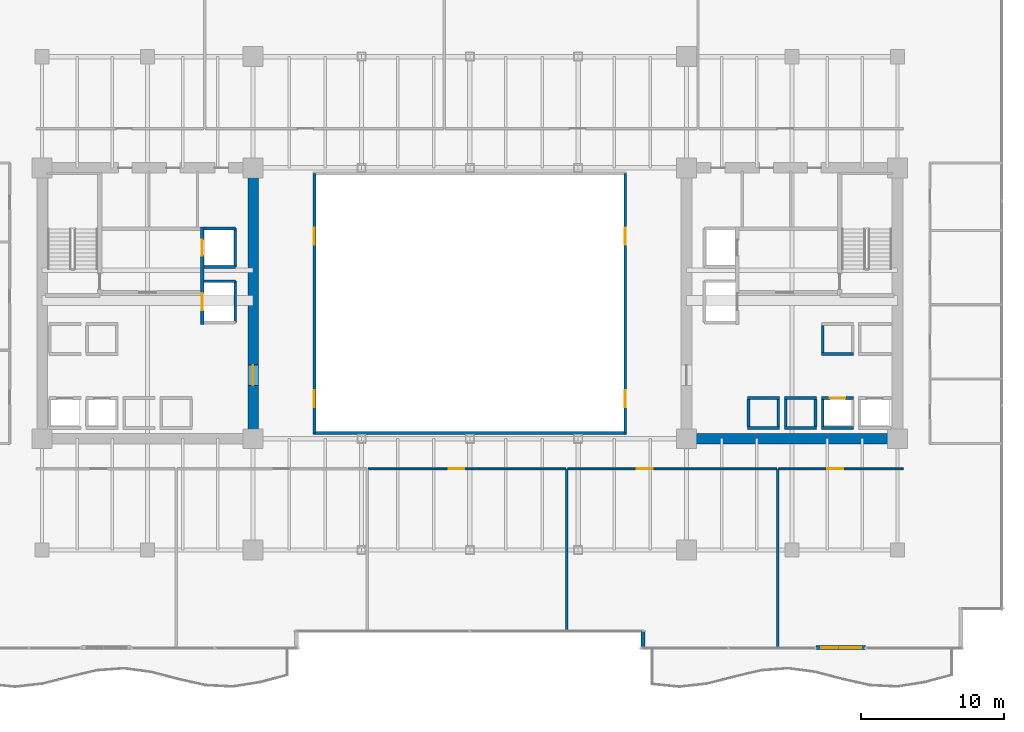
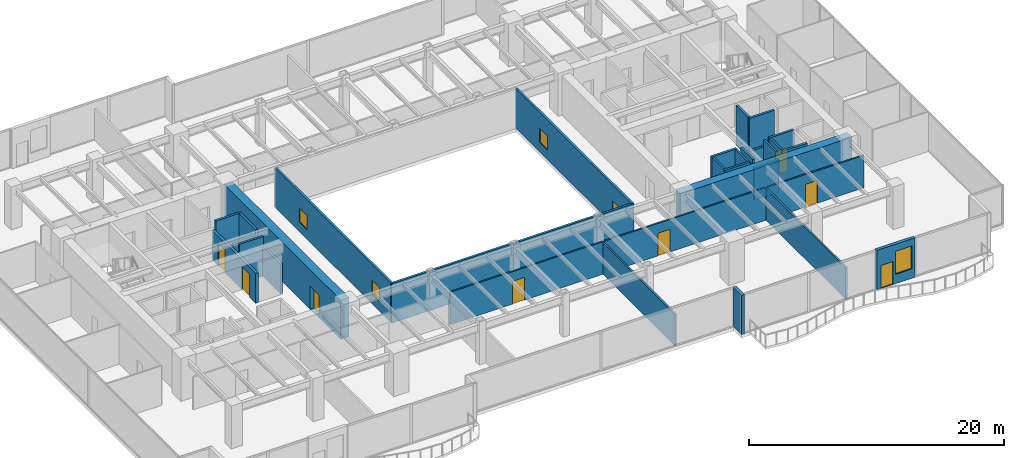
# One storey, part 25 of 31: 31 walls, 8 doors, 5 windows, 13 openings.
"""IFC4 building model written with IfcOpenShell, lengths in metres."""

from ifc_helpers import new_model, si_unit, direction, frame, frame_2d, origin, place, context, subcontext, project, spatial, rectangle, extrude, source, transform, mapped, material, layer, layer_set, type_object, type_shapes, element, fill, save


model = new_model("IFC4")

# Units and contexts
model_context = context("Model", 3, precision=1e-05, world=origin(), true_north=direction((0.0, 1.0)))
body_context = subcontext(model_context, "Body", "Model", "MODEL_VIEW")
ifc_project = project(units=[si_unit("LENGTHUNIT", "METRE"), si_unit("AREAUNIT", "SQUARE_METRE"), si_unit("VOLUMEUNIT", "CUBIC_METRE"), si_unit("PLANEANGLEUNIT", "RADIAN"), si_unit("MASSUNIT", "GRAM", prefix="KILO")], contexts=[model_context])

# Site, building, storey
site_placement = place(None, origin())
site = spatial("IfcSite", under=ifc_project, at=site_placement, CompositionType="ELEMENT")
building_placement = place(site_placement, origin())
building = spatial("IfcBuilding", under=site, at=building_placement, Name="Haelvirn Gate Laboratories", CompositionType="ELEMENT")
storey_placement = place(building_placement, frame((0.0, 0.0, 62.10009765625)))
storey = spatial("IfcBuildingStorey", under=building, at=storey_placement, Name="L15", CompositionType="ELEMENT", Elevation=62.10009765625)

# Wall, openings, door, window
ifc_material_1 = material(Name="Thermally-broken bronze aluminium rainscreen & mineral wool", Category="aluminium")
ifc_layer_1 = layer(ifc_material_1, 0.280029296875, Name="EW-TERR-280")
ifc_layer_set_1 = layer_set([ifc_layer_1], Name="Thermally-broken bronze aluminium rainscreen & mineral wool")
wall_type_1 = type_object("IfcWallType", Name="EW-TERR-280", PredefinedType="STANDARD", material=ifc_layer_set_1)
wall_1_placement = place(storey_placement, frame((61.681884765625, 0.139892578125, 0.0), z_axis=(0.0, 0.0, 1.0), x_axis=(1.0, 0.0, 0.0)))
wall_1 = element("IfcWall", 1, at=wall_1_placement, inside=storey, type_object=wall_type_1, Name="L15 Terrace Access Wall WB-EL-S", PredefinedType="STANDARD", context=body_context, shape_type="SweptSolid", body=[
    extrude(rectangle(XDim=3.461181640625, YDim=0.280029296875, at=frame_2d((1.73046875, 0.0))), origin(), (0.0, 0.0, 1.0), 3.77978515625),
])
opening_1_placement = place(wall_1_placement, frame((0.3779296875, 0.0, 0.0)))
opening_1 = element("IfcOpeningElement", 2, at=opening_1_placement, cuts=wall_1, Name="Opening TD1", PredefinedType="OPENING", context=body_context, shape_type="SweptSolid", body=[
    extrude(rectangle(XDim=1.10009765625, YDim=2.199951171875, at=frame_2d((0.550048828125, 1.10009765625))), frame((0.0, 0.14990234375, 0.0), z_axis=(0.0, -1.0, 0.0), x_axis=(1.0, 0.0, 0.0)), (0.0, 0.0, 1.0), 0.300048828125),
])
opening_2_placement = place(wall_1_placement, frame((1.677978515625, 0.0, 0.89990234375)))
opening_2 = element("IfcOpeningElement", 3, at=opening_2_placement, cuts=wall_1, Name="Opening W3", PredefinedType="OPENING", context=body_context, shape_type="SweptSolid", body=[
    extrude(rectangle(XDim=1.5, YDim=2.199951171875, at=frame_2d((0.75, 1.10009765625))), frame((0.0, 0.14990234375, 0.0), z_axis=(0.0, -1.0, 0.0), x_axis=(1.0, 0.0, 0.0)), (0.0, 0.0, 1.0), 0.300048828125),
])
ifc_material_2 = material(Name="Thermally-broken bronze aluminium glazed terrace door", Category="aluminium")
door_type_1 = type_object("IfcDoorType", Name="DR-TERR-1100", OperationType="NOTDEFINED", PredefinedType="DOOR", material=ifc_material_2)
shared_shape_1 = source(origin(), body_context, "Body", "SweptSolid", [
    extrude(rectangle(XDim=1.10009765625, YDim=2.199951171875, at=frame_2d((0.550048828125, 1.10009765625))), frame((0.0, 0.02490234375, 0.0), z_axis=(0.0, -1.0, 0.0), x_axis=(1.0, 0.0, 0.0)), (0.0, 0.0, 1.0), 0.050048828125),
])
type_shapes(door_type_1, [shared_shape_1])
door_1_placement = place(opening_1_placement, origin())
door_1 = element("IfcDoor", 4, at=door_1_placement, inside=storey, type_object=door_type_1, Name="L15 Terrace Access Door WB-EL-S", OperationType="SINGLE_SWING_LEFT", OverallHeight=2.199951171875, OverallWidth=1.10009765625, PredefinedType="DOOR", context=body_context, shape_type="MappedRepresentation", body=[
    mapped(shared_shape_1, transform((0.0, 0.0, 0.0), scale=1.0)),
])
fill(opening_1, door_1)
ifc_material_3 = material(Name="Bronze anodised aluminium & triple low-E glass", Category="aluminium")
window_type_1 = type_object("IfcWindowType", Name="WIN-TERR-1600", PartitioningType="SINGLE_PANEL", PredefinedType="WINDOW", material=ifc_material_3)
shared_shape_2 = source(origin(), body_context, "Body", "SweptSolid", [
    extrude(rectangle(XDim=1.5, YDim=2.199951171875, at=frame_2d((0.75, 1.10009765625))), frame((0.0, 0.030029296875, 0.0), z_axis=(0.0, -1.0, 0.0), x_axis=(1.0, 0.0, 0.0)), (0.0, 0.0, 1.0), 0.06005859375),
])
type_shapes(window_type_1, [shared_shape_2])
window_1_placement = place(opening_2_placement, origin())
window_1 = element("IfcWindow", 5, at=window_1_placement, inside=storey, type_object=window_type_1, Name="L15 Terrace Vision Window WB-EL-S", OverallHeight=2.199951171875, OverallWidth=1.5, PartitioningType="SINGLE_PANEL", PredefinedType="WINDOW", context=body_context, shape_type="MappedRepresentation", body=[
    mapped(shared_shape_2, transform((0.0, 0.0, 0.0), scale=1.0)),
])
fill(opening_2, window_1)

# Walls
wall_2_placement = place(storey_placement, frame((49.5400390625, 1.2880859375, 0.0), z_axis=(0.0, 0.0, 1.0), x_axis=(0.0, -1.0, 0.0)))
element("IfcWall", 6, at=wall_2_placement, inside=storey, type_object=wall_type_1, Name="L15 Atrium Recess Bronze Return Wall 03", PredefinedType="STANDARD", context=body_context, shape_type="SweptSolid", body=[
    extrude(rectangle(XDim=1.2880859375, YDim=0.280029296875, at=frame_2d((0.64404296875, 0.0))), origin(), (0.0, 0.0, 1.0), 3.77978515625),
])
ifc_material_4 = material(Name="Double-layer acoustic gypsum laboratory partition", Category="gypsum")
ifc_layer_2 = layer(ifc_material_4, 0.159912109375, Name="IW-ACOUST-160")
ifc_layer_set_2 = layer_set([ifc_layer_2], Name="Double-layer acoustic gypsum laboratory partition")
wall_type_2 = type_object("IfcWallType", Name="IW-ACOUST-160", PredefinedType="PARTITIONING", material=ifc_layer_set_2)
wall_3_placement = place(storey_placement, frame((44.199951171875, 1.31005859375, 0.0), z_axis=(0.0, 0.0, 1.0), x_axis=(0.0, 1.0, 0.0)))
element("IfcWall", 7, at=wall_3_placement, inside=storey, type_object=wall_type_2, Name="L15 Interior Wall IW-L15-SDIV-03", PredefinedType="PARTITIONING", context=body_context, shape_type="SweptSolid", body=[
    extrude(rectangle(XDim=11.3798828125, YDim=0.159912109375, at=frame_2d((5.68994140625, 0.0))), origin(), (0.0, 0.0, 1.0), 3.014892578125),
])
wall_4_placement = place(storey_placement, frame((59.0, 0.110107421875, 0.0), z_axis=(0.0, 0.0, 1.0), x_axis=(0.0, 1.0, 0.0)))
element("IfcWall", 8, at=wall_4_placement, inside=storey, type_object=wall_type_2, Name="L15 Interior Wall IW-L15-SDIV-04", PredefinedType="PARTITIONING", context=body_context, shape_type="SweptSolid", body=[
    extrude(rectangle(XDim=12.579833984375, YDim=0.159912109375, at=frame_2d((6.2900390625, 0.0))), origin(), (0.0, 0.0, 1.0), 3.014892578125),
])

# Wall, openings, windows
ifc_material_5 = material(Name="Tempered fire-rated borosilicate glass & anodised aluminium", Category="aluminium")
ifc_layer_3 = layer(ifc_material_5, 0.195068359375, Name="IW-GLAZ-200")
ifc_layer_set_3 = layer_set([ifc_layer_3], Name="Tempered fire-rated borosilicate glass & anodised aluminium")
wall_type_3 = type_object("IfcWallType", Name="IW-GLAZ-200", PredefinedType="SOLIDWALL", material=ifc_layer_set_3)
wall_5_placement = place(storey_placement, frame((26.5, 15.199951171875, 0.0), z_axis=(0.0, 0.0, 1.0), x_axis=(0.0, 1.0, 0.0)))
wall_5 = element("IfcWall", 9, at=wall_5_placement, inside=storey, type_object=wall_type_3, Name="L15 Interior Wall IW-L15-ATRIUM-W", PredefinedType="SOLIDWALL", context=body_context, shape_type="SweptSolid", body=[
    extrude(rectangle(XDim=18.199951171875, YDim=0.195068359375, at=frame_2d((9.10009765625, 0.0))), origin(), (0.0, 0.0, 1.0), 3.77978515625),
])
opening_3_placement = place(wall_5_placement, frame((1.800048828125, 0.0, 0.89990234375)))
opening_3 = element("IfcOpeningElement", 10, at=opening_3_placement, cuts=wall_5, Name="Opening W6", PredefinedType="OPENING", context=body_context, shape_type="SweptSolid", body=[
    extrude(rectangle(XDim=1.199951171875, YDim=1.35009765625, at=frame_2d((0.60009765625, 0.675048828125))), frame((0.0, 0.107421875, 0.0), z_axis=(0.0, -1.0, 0.0), x_axis=(1.0, 0.0, 0.0)), (0.0, 0.0, 1.0), 0.215087890625),
])
opening_4_placement = place(wall_5_placement, frame((13.199951171875, 0.0, 0.89990234375)))
opening_4 = element("IfcOpeningElement", 11, at=opening_4_placement, cuts=wall_5, Name="Opening W6", PredefinedType="OPENING", context=body_context, shape_type="SweptSolid", body=[
    extrude(rectangle(XDim=1.199951171875, YDim=1.35009765625, at=frame_2d((0.60009765625, 0.675048828125))), frame((0.0, 0.107421875, 0.0), z_axis=(0.0, -1.0, 0.0), x_axis=(1.0, 0.0, 0.0)), (0.0, 0.0, 1.0), 0.215087890625),
])
ifc_material_6 = material(Name="Fire-rated EI 120 borosilicate atrium vision glazing", Category="glass")
window_type_2 = type_object("IfcWindowType", Name="WN-ATR-1200", PartitioningType="SINGLE_PANEL", PredefinedType="WINDOW", material=ifc_material_6)
shared_shape_3 = source(origin(), body_context, "Body", "SweptSolid", [
    extrude(rectangle(XDim=1.199951171875, YDim=1.35009765625, at=frame_2d((0.60009765625, 0.675048828125))), frame((0.0, 0.030029296875, 0.0), z_axis=(0.0, -1.0, 0.0), x_axis=(1.0, 0.0, 0.0)), (0.0, 0.0, 1.0), 0.06005859375),
])
type_shapes(window_type_2, [shared_shape_3])
window_2_placement = place(opening_3_placement, origin())
window_2 = element("IfcWindow", 12, at=window_2_placement, inside=storey, type_object=window_type_2, Name="L15 Atrium Observation Window 1", OverallHeight=1.35009765625, OverallWidth=1.199951171875, PartitioningType="SINGLE_PANEL", PredefinedType="WINDOW", context=body_context, shape_type="MappedRepresentation", body=[
    mapped(shared_shape_3, transform((0.0, 0.0, 0.0), scale=1.0)),
])
fill(opening_3, window_2)
window_3_placement = place(opening_4_placement, origin())
window_3 = element("IfcWindow", 13, at=window_3_placement, inside=storey, type_object=window_type_2, Name="L15 Atrium Observation Window 2", OverallHeight=1.35009765625, OverallWidth=1.199951171875, PartitioningType="SINGLE_PANEL", PredefinedType="WINDOW", context=body_context, shape_type="MappedRepresentation", body=[
    mapped(shared_shape_3, transform((0.0, 0.0, 0.0), scale=1.0)),
])
fill(opening_4, window_3)

wall_6_placement = place(storey_placement, frame((48.300048828125, 15.199951171875, 0.0), z_axis=(0.0, 0.0, 1.0), x_axis=(0.0, 1.0, 0.0)))
wall_6 = element("IfcWall", 14, at=wall_6_placement, inside=storey, type_object=wall_type_3, Name="L15 Interior Wall IW-L15-ATRIUM-E", PredefinedType="SOLIDWALL", context=body_context, shape_type="SweptSolid", body=[
    extrude(rectangle(XDim=18.199951171875, YDim=0.195068359375, at=frame_2d((9.10009765625, 0.0))), origin(), (0.0, 0.0, 1.0), 3.77978515625),
])
opening_5_placement = place(wall_6_placement, frame((1.800048828125, 0.0, 0.89990234375)))
opening_5 = element("IfcOpeningElement", 15, at=opening_5_placement, cuts=wall_6, Name="Opening W6", PredefinedType="OPENING", context=body_context, shape_type="SweptSolid", body=[
    extrude(rectangle(XDim=1.199951171875, YDim=1.35009765625, at=frame_2d((0.60009765625, 0.675048828125))), frame((0.0, 0.107421875, 0.0), z_axis=(0.0, -1.0, 0.0), x_axis=(1.0, 0.0, 0.0)), (0.0, 0.0, 1.0), 0.215087890625),
])
opening_6_placement = place(wall_6_placement, frame((13.199951171875, 0.0, 0.89990234375)))
opening_6 = element("IfcOpeningElement", 16, at=opening_6_placement, cuts=wall_6, Name="Opening W6", PredefinedType="OPENING", context=body_context, shape_type="SweptSolid", body=[
    extrude(rectangle(XDim=1.199951171875, YDim=1.35009765625, at=frame_2d((0.60009765625, 0.675048828125))), frame((0.0, 0.107421875, 0.0), z_axis=(0.0, -1.0, 0.0), x_axis=(1.0, 0.0, 0.0)), (0.0, 0.0, 1.0), 0.215087890625),
])
window_4_placement = place(opening_5_placement, origin())
window_4 = element("IfcWindow", 17, at=window_4_placement, inside=storey, type_object=window_type_2, Name="L15 Atrium Observation Window 1", OverallHeight=1.35009765625, OverallWidth=1.199951171875, PartitioningType="SINGLE_PANEL", PredefinedType="WINDOW", context=body_context, shape_type="MappedRepresentation", body=[
    mapped(shared_shape_3, transform((0.0, 0.0, 0.0), scale=1.0)),
])
fill(opening_5, window_4)
window_5_placement = place(opening_6_placement, origin())
window_5 = element("IfcWindow", 18, at=window_5_placement, inside=storey, type_object=window_type_2, Name="L15 Atrium Observation Window 2", OverallHeight=1.35009765625, OverallWidth=1.199951171875, PartitioningType="SINGLE_PANEL", PredefinedType="WINDOW", context=body_context, shape_type="MappedRepresentation", body=[
    mapped(shared_shape_3, transform((0.0, 0.0, 0.0), scale=1.0)),
])
fill(opening_6, window_5)

# Wall
wall_7_placement = place(storey_placement, frame((26.39990234375, 15.199951171875, 0.0), z_axis=(0.0, 0.0, 1.0), x_axis=(1.0, 0.0, 0.0)))
element("IfcWall", 19, at=wall_7_placement, inside=storey, type_object=wall_type_3, Name="L15 Interior Wall IW-L15-ATRIUM-S", PredefinedType="SOLIDWALL", context=body_context, shape_type="SweptSolid", body=[
    extrude(rectangle(XDim=22.0, YDim=0.195068359375, at=frame_2d((11.0, 0.0))), origin(), (0.0, 0.0, 1.0), 3.77978515625),
])

# Wall, opening, door
ifc_material_7 = material(Name="Acoustic mineral-wool gypsum board partition", Category="gypsum")
ifc_layer_4 = layer(ifc_material_7, 0.139892578125, Name="IW-PART-140")
ifc_layer_set_4 = layer_set([ifc_layer_4], Name="Acoustic mineral-wool gypsum board partition")
wall_type_4 = type_object("IfcWallType", Name="IW-PART-140", PredefinedType="PARTITIONING", material=ifc_layer_set_4)
wall_8_placement = place(storey_placement, frame((30.280029296875, 12.68994140625, 0.0), z_axis=(0.0, 0.0, 1.0), x_axis=(1.0, 0.0, 0.0)))
wall_8 = element("IfcWall", 20, at=wall_8_placement, inside=storey, type_object=wall_type_4, Name="L15 Interior Wall IW-L15-SCORR-03", PredefinedType="PARTITIONING", context=body_context, shape_type="SweptSolid", body=[
    extrude(rectangle(XDim=13.840087890625, YDim=0.139892578125, at=frame_2d((6.919921875, 0.0))), origin(), (0.0, 0.0, 1.0), 3.114990234375),
])
opening_7_placement = place(wall_8_placement, frame((5.647705078125, 0.0, 0.0)))
opening_7 = element("IfcOpeningElement", 21, at=opening_7_placement, cuts=wall_8, Name="Opening D1", PredefinedType="OPENING", context=body_context, shape_type="SweptSolid", body=[
    extrude(rectangle(XDim=1.10009765625, YDim=2.179931640625, at=frame_2d((0.550048828125, 1.08984375))), frame((0.0, 0.080078125, 0.0), z_axis=(0.0, -1.0, 0.0), x_axis=(1.0, 0.0, 0.0)), (0.0, 0.0, 1.0), 0.159912109375),
])
ifc_material_8 = material(Name="Vision-panel acoustic solid-core timber lab door", Category="wood")
door_type_2 = type_object("IfcDoorType", Name="DR-LAB-1100", OperationType="NOTDEFINED", PredefinedType="DOOR", material=ifc_material_8)
shared_shape_4 = source(origin(), body_context, "Body", "SweptSolid", [
    extrude(rectangle(XDim=1.10009765625, YDim=2.179931640625, at=frame_2d((0.550048828125, 1.08984375))), frame((0.0, 0.02490234375, 0.0), z_axis=(0.0, -1.0, 0.0), x_axis=(1.0, 0.0, 0.0)), (0.0, 0.0, 1.0), 0.050048828125),
])
type_shapes(door_type_2, [shared_shape_4])
door_2_placement = place(opening_7_placement, origin())
door_2 = element("IfcDoor", 22, at=door_2_placement, inside=storey, type_object=door_type_2, Name="L15 Peer-Review Seminar Room Door S3", OperationType="SINGLE_SWING_RIGHT", OverallHeight=2.179931640625, OverallWidth=1.10009765625, PredefinedType="DOOR", context=body_context, shape_type="MappedRepresentation", body=[
    mapped(shared_shape_4, transform((0.0, 0.0, 0.0), scale=1.0)),
])
fill(opening_7, door_2)

wall_9_placement = place(storey_placement, frame((44.280029296875, 12.68994140625, 0.0), z_axis=(0.0, 0.0, 1.0), x_axis=(1.0, 0.0, 0.0)))
wall_9 = element("IfcWall", 23, at=wall_9_placement, inside=storey, type_object=wall_type_4, Name="L15 Interior Wall IW-L15-SCORR-04", PredefinedType="PARTITIONING", context=body_context, shape_type="SweptSolid", body=[
    extrude(rectangle(XDim=14.639892578125, YDim=0.139892578125, at=frame_2d((7.31982421875, 0.0))), origin(), (0.0, 0.0, 1.0), 3.114990234375),
])
opening_8_placement = place(wall_9_placement, frame((4.843994140625, 0.0, 0.0)))
opening_8 = element("IfcOpeningElement", 24, at=opening_8_placement, cuts=wall_9, Name="Opening D1", PredefinedType="OPENING", context=body_context, shape_type="SweptSolid", body=[
    extrude(rectangle(XDim=1.10009765625, YDim=2.179931640625, at=frame_2d((0.550048828125, 1.08984375))), frame((0.0, 0.080078125, 0.0), z_axis=(0.0, -1.0, 0.0), x_axis=(1.0, 0.0, 0.0)), (0.0, 0.0, 1.0), 0.159912109375),
])
door_3_placement = place(opening_8_placement, origin())
door_3 = element("IfcDoor", 25, at=door_3_placement, inside=storey, type_object=door_type_2, Name="L15 Colloquium Conference Room Door S4", OperationType="SINGLE_SWING_LEFT", OverallHeight=2.179931640625, OverallWidth=1.10009765625, PredefinedType="DOOR", context=body_context, shape_type="MappedRepresentation", body=[
    mapped(shared_shape_4, transform((0.0, 0.0, 0.0), scale=1.0)),
])
fill(opening_8, door_3)

wall_10_placement = place(storey_placement, frame((59.080078125, 12.68994140625, 0.0), z_axis=(0.0, 0.0, 1.0), x_axis=(1.0, 0.0, 0.0)))
wall_10 = element("IfcWall", 26, at=wall_10_placement, inside=storey, type_object=wall_type_4, Name="L15 Interior Wall IW-L15-SCORR-05", PredefinedType="PARTITIONING", context=body_context, shape_type="SweptSolid", body=[
    extrude(rectangle(XDim=8.739990234375, YDim=0.139892578125, at=frame_2d((4.3701171875, 0.0))), origin(), (0.0, 0.0, 1.0), 3.114990234375),
])
opening_9_placement = place(wall_10_placement, frame((3.403564453125, 0.0, 0.0)))
opening_9 = element("IfcOpeningElement", 27, at=opening_9_placement, cuts=wall_10, Name="Opening D1", PredefinedType="OPENING", context=body_context, shape_type="SweptSolid", body=[
    extrude(rectangle(XDim=1.10009765625, YDim=2.179931640625, at=frame_2d((0.550048828125, 1.08984375))), frame((0.0, 0.080078125, 0.0), z_axis=(0.0, -1.0, 0.0), x_axis=(1.0, 0.0, 0.0)), (0.0, 0.0, 1.0), 0.159912109375),
])
door_4_placement = place(opening_9_placement, origin())
door_4 = element("IfcDoor", 28, at=door_4_placement, inside=storey, type_object=door_type_2, Name="L15 Occupational Biosafety Clinic Door S5", OperationType="SINGLE_SWING_RIGHT", OverallHeight=2.179931640625, OverallWidth=1.10009765625, PredefinedType="DOOR", context=body_context, shape_type="MappedRepresentation", body=[
    mapped(shared_shape_4, transform((0.0, 0.0, 0.0), scale=1.0)),
])
fill(opening_9, door_4)

# Walls
ifc_material_9 = material(Name="Concrete C40/50", Category="concrete")
ifc_layer_5 = layer(ifc_material_9, 0.179931640625, Name="IW-SHAFT-180")
ifc_layer_set_5 = layer_set([ifc_layer_5], Name="Concrete C40/50")
wall_type_5 = type_object("IfcWallType", Name="IW-SHAFT-180", PredefinedType="SOLIDWALL", material=ifc_layer_set_5)
for number, where, z_axis, x_axis, name in (
    (29, (62.14990234375, 15.64990234375, 0.0), (0.0, 0.0, 1.0), (0.0, 1.0, 0.0), "L15 Interior Wall IW-L15-PL4-SD"),
    (30, (59.550048828125, 15.64990234375, 0.0), (0.0, 0.0, 1.0), (0.0, 1.0, 0.0), "L15 Interior Wall IW-L15-PL7-SD"),
    (31, (61.64990234375, 15.64990234375, 0.0), (0.0, 0.0, 1.0), (0.0, 1.0, 0.0), "L15 Interior Wall IW-L15-PL7-SDE"),
    (32, (56.949951171875, 15.64990234375, 0.0), (0.0, 0.0, 1.0), (0.0, 1.0, 0.0), "L15 Interior Wall IW-L15-PL8-SD"),
    (33, (59.050048828125, 15.64990234375, 0.0), (0.0, 0.0, 1.0), (0.0, 1.0, 0.0), "L15 Interior Wall IW-L15-PL8-SDE"),
):
    element("IfcWall", number, at=place(storey_placement, frame(where, z_axis=z_axis, x_axis=x_axis)), inside=storey, type_object=wall_type_5, Name=name, PredefinedType="SOLIDWALL", context=body_context, shape_type="SweptSolid", body=[
        extrude(rectangle(XDim=1.900146484375, YDim=0.179931640625, at=frame_2d((0.9501953125, 0.0))), origin(), (0.0, 0.0, 1.0), 3.77978515625),
    ])
wall_11_placement = place(storey_placement, frame((62.14990234375, 20.85009765625, 0.0), z_axis=(0.0, 0.0, 1.0), x_axis=(0.0, 1.0, 0.0)))
element("IfcWall", 34, at=wall_11_placement, inside=storey, type_object=wall_type_5, Name="L15 Interior Wall IW-L15-PL12-SD", PredefinedType="SOLIDWALL", context=body_context, shape_type="SweptSolid", body=[
    extrude(rectangle(XDim=1.89990234375, YDim=0.179931640625, at=frame_2d((0.949951171875, 0.0))), origin(), (0.0, 0.0, 1.0), 3.77978515625),
])
ifc_layer_6 = layer(ifc_material_9, 0.199951171875, Name="IW-SHAFT-200")
ifc_layer_set_6 = layer_set([ifc_layer_6], Name="Concrete C40/50")
wall_type_6 = type_object("IfcWallType", Name="IW-SHAFT-200", PredefinedType="SOLIDWALL", material=ifc_layer_set_6)
wall_12_placement = place(storey_placement, frame((20.949951171875, 26.85009765625, 0.0), z_axis=(0.0, 0.0, 1.0), x_axis=(0.0, 1.0, 0.0)))
element("IfcWall", 35, at=wall_12_placement, inside=storey, type_object=wall_type_6, Name="L15 Interior Wall IW-L15-FL1-BK", PredefinedType="SOLIDWALL", context=body_context, shape_type="SweptSolid", body=[
    extrude(rectangle(XDim=2.699951171875, YDim=0.199951171875, at=frame_2d((1.35009765625, 0.0))), origin(), (0.0, 0.0, 1.0), 3.77978515625),
])
wall_13_placement = place(storey_placement, frame((18.760009765625, 29.550048828125, 0.0), z_axis=(0.0, 0.0, 1.0), x_axis=(1.0, 0.0, 0.0)))
element("IfcWall", 36, at=wall_13_placement, inside=storey, type_object=wall_type_6, Name="L15 Interior Wall IW-L15-FL1-N", PredefinedType="SOLIDWALL", context=body_context, shape_type="SweptSolid", body=[
    extrude(rectangle(XDim=2.18994140625, YDim=0.199951171875, at=frame_2d((1.094970703125, 0.0))), origin(), (0.0, 0.0, 1.0), 3.77978515625),
])
wall_14_placement = place(storey_placement, frame((18.760009765625, 26.85009765625, 0.0), z_axis=(0.0, 0.0, 1.0), x_axis=(1.0, 0.0, 0.0)))
element("IfcWall", 37, at=wall_14_placement, inside=storey, type_object=wall_type_6, Name="L15 Interior Wall IW-L15-FL1-S", PredefinedType="SOLIDWALL", context=body_context, shape_type="SweptSolid", body=[
    extrude(rectangle(XDim=2.18994140625, YDim=0.199951171875, at=frame_2d((1.094970703125, 0.0))), origin(), (0.0, 0.0, 1.0), 3.177001953125),
])
wall_15_placement = place(storey_placement, frame((20.949951171875, 22.949951171875, 0.0), z_axis=(0.0, 0.0, 1.0), x_axis=(0.0, 1.0, 0.0)))
element("IfcWall", 38, at=wall_15_placement, inside=storey, type_object=wall_type_6, Name="L15 Interior Wall IW-L15-SL1-BK", PredefinedType="SOLIDWALL", context=body_context, shape_type="SweptSolid", body=[
    extrude(rectangle(XDim=2.900146484375, YDim=0.199951171875, at=frame_2d((1.4501953125, 0.0))), origin(), (0.0, 0.0, 1.0), 2.864990234375),
])
wall_16_placement = place(storey_placement, frame((18.760009765625, 25.85009765625, 0.0), z_axis=(0.0, 0.0, 1.0), x_axis=(1.0, 0.0, 0.0)))
element("IfcWall", 39, at=wall_16_placement, inside=storey, type_object=wall_type_6, Name="L15 Interior Wall IW-L15-SL1-N", PredefinedType="SOLIDWALL", context=body_context, shape_type="SweptSolid", body=[
    extrude(rectangle(XDim=2.18994140625, YDim=0.199951171875, at=frame_2d((1.094970703125, 0.0))), origin(), (0.0, 0.0, 1.0), 3.77978515625),
])

# Wall, opening, door
wall_17_placement = place(storey_placement, frame((62.070068359375, 17.64990234375, 0.0), z_axis=(0.0, 0.0, 1.0), x_axis=(1.0, 0.0, 0.0)))
wall_17 = element("IfcWall", 40, at=wall_17_placement, inside=storey, type_object=wall_type_6, Name="L15 Interior Wall IW-L15-PL4-FR", PredefinedType="SOLIDWALL", context=body_context, shape_type="SweptSolid", body=[
    extrude(rectangle(XDim=2.260009765625, YDim=0.199951171875, at=frame_2d((1.1298828125, 0.0))), origin(), (0.0, 0.0, 1.0), 3.77978515625),
])
opening_10_placement = place(wall_17_placement, frame((0.580078125, 0.0, 0.0)))
opening_10 = element("IfcOpeningElement", 41, at=opening_10_placement, cuts=wall_17, Name="Opening LD2", PredefinedType="OPENING", context=body_context, shape_type="SweptSolid", body=[
    extrude(rectangle(XDim=1.10009765625, YDim=2.219970703125, at=frame_2d((0.550048828125, 1.10986328125))), frame((0.0, 0.10986328125, 0.0), z_axis=(0.0, -1.0, 0.0), x_axis=(1.0, 0.0, 0.0)), (0.0, 0.0, 1.0), 0.219970703125),
])
ifc_material_10 = material(Name="Bronze stainless 316L sliding lift landing door")
door_type_3 = type_object("IfcDoorType", Name="DR-LD-1100", OperationType="NOTDEFINED", PredefinedType="USERDEFINED", material=ifc_material_10)
shared_shape_5 = source(origin(), body_context, "Body", "SweptSolid", [
    extrude(rectangle(XDim=1.10009765625, YDim=2.219970703125, at=frame_2d((0.550048828125, 1.10986328125))), frame((0.0, 0.02490234375, 0.0), z_axis=(0.0, -1.0, 0.0), x_axis=(1.0, 0.0, 0.0)), (0.0, 0.0, 1.0), 0.050048828125),
])
type_shapes(door_type_3, [shared_shape_5])
door_5_placement = place(opening_10_placement, origin())
door_5 = element("IfcDoor", 42, at=door_5_placement, inside=storey, type_object=door_type_3, Name="L15 Passenger Lift PL4 Landing Door", ObjectType="LANDING_DOOR", OperationType="SLIDING_TO_RIGHT", OverallHeight=2.219970703125, OverallWidth=1.10009765625, PredefinedType="USERDEFINED", context=body_context, shape_type="MappedRepresentation", body=[
    mapped(shared_shape_5, transform((0.0, 0.0, 0.0), scale=1.0)),
])
fill(opening_10, door_5)

# Walls
wall_18_placement = place(storey_placement, frame((62.070068359375, 15.550048828125, 0.0), z_axis=(0.0, 0.0, 1.0), x_axis=(1.0, 0.0, 0.0)))
element("IfcWall", 43, at=wall_18_placement, inside=storey, type_object=wall_type_6, Name="L15 Interior Wall IW-L15-PL4-BK", PredefinedType="SOLIDWALL", context=body_context, shape_type="SweptSolid", body=[
    extrude(rectangle(XDim=2.260009765625, YDim=0.199951171875, at=frame_2d((1.1298828125, 0.0))), origin(), (0.0, 0.0, 1.0), 3.77978515625),
])
for number, where, z_axis, x_axis, name in (
    (44, (59.469970703125, 17.64990234375, 0.0), (0.0, 0.0, 1.0), (1.0, 0.0, 0.0), "L15 Interior Wall IW-L15-PL7-FR"),
    (45, (59.469970703125, 15.550048828125, 0.0), (0.0, 0.0, 1.0), (1.0, 0.0, 0.0), "L15 Interior Wall IW-L15-PL7-BK"),
):
    element("IfcWall", number, at=place(storey_placement, frame(where, z_axis=z_axis, x_axis=x_axis)), inside=storey, type_object=wall_type_6, Name=name, PredefinedType="SOLIDWALL", context=body_context, shape_type="SweptSolid", body=[
        extrude(rectangle(XDim=2.260009765625, YDim=0.199951171875, at=frame_2d((1.1298828125, 0.0))), origin(), (0.0, 0.0, 1.0), 3.114990234375),
    ])
for number, where, z_axis, x_axis, name in (
    (46, (56.8701171875, 17.64990234375, 0.0), (0.0, 0.0, 1.0), (1.0, 0.0, 0.0), "L15 Interior Wall IW-L15-PL8-FR"),
    (47, (56.8701171875, 15.550048828125, 0.0), (0.0, 0.0, 1.0), (1.0, 0.0, 0.0), "L15 Interior Wall IW-L15-PL8-BK"),
):
    element("IfcWall", number, at=place(storey_placement, frame(where, z_axis=z_axis, x_axis=x_axis)), inside=storey, type_object=wall_type_6, Name=name, PredefinedType="SOLIDWALL", context=body_context, shape_type="SweptSolid", body=[
        extrude(rectangle(XDim=2.259765625, YDim=0.199951171875, at=frame_2d((1.1298828125, 0.0))), origin(), (0.0, 0.0, 1.0), 3.77978515625),
    ])
wall_19_placement = place(storey_placement, frame((62.070068359375, 20.75, 0.0), z_axis=(0.0, 0.0, 1.0), x_axis=(1.0, 0.0, 0.0)))
element("IfcWall", 48, at=wall_19_placement, inside=storey, type_object=wall_type_6, Name="L15 Interior Wall IW-L15-PL12-FR", PredefinedType="SOLIDWALL", context=body_context, shape_type="SweptSolid", body=[
    extrude(rectangle(XDim=2.260009765625, YDim=0.199951171875, at=frame_2d((1.1298828125, 0.0))), origin(), (0.0, 0.0, 1.0), 3.77978515625),
])

# Wall, openings, doors
ifc_layer_7 = layer(ifc_material_9, 0.239990234375, Name="IW-SHAFT-240")
ifc_layer_set_7 = layer_set([ifc_layer_7], Name="Concrete C40/50")
wall_type_7 = type_object("IfcWallType", Name="IW-SHAFT-240", PredefinedType="SOLIDWALL", material=ifc_layer_set_7)
wall_20_placement = place(storey_placement, frame((18.639892578125, 22.800048828125, 0.0), z_axis=(0.0, 0.0, 1.0), x_axis=(0.0, 1.0, 0.0)))
wall_20 = element("IfcWall", 49, at=wall_20_placement, inside=storey, type_object=wall_type_7, Name="L15 Interior Wall IW-L15-W-FF-E", PredefinedType="SOLIDWALL", context=body_context, shape_type="SweptSolid", body=[
    extrude(rectangle(XDim=6.849853515625, YDim=0.239990234375, at=frame_2d((3.4248046875, 0.0))), origin(), (0.0, 0.0, 1.0), 2.864990234375),
])
opening_11_placement = place(wall_20_placement, frame((4.85009765625, 0.0, 0.0)))
opening_11 = element("IfcOpeningElement", 50, at=opening_11_placement, cuts=wall_20, Name="Opening LD2", PredefinedType="OPENING", context=body_context, shape_type="SweptSolid", body=[
    extrude(rectangle(XDim=1.10009765625, YDim=2.219970703125, at=frame_2d((0.550048828125, 1.10986328125))), frame((0.0, 0.1298828125, 0.0), z_axis=(0.0, -1.0, 0.0), x_axis=(1.0, 0.0, 0.0)), (0.0, 0.0, 1.0), 0.260009765625),
])
opening_12_placement = place(wall_20_placement, frame((1.0, 0.0, 0.0)))
opening_12 = element("IfcOpeningElement", 51, at=opening_12_placement, cuts=wall_20, Name="Opening LD1", PredefinedType="OPENING", context=body_context, shape_type="SweptSolid", body=[
    extrude(rectangle(XDim=1.199951171875, YDim=2.219970703125, at=frame_2d((0.60009765625, 1.10986328125))), frame((0.0, 0.1298828125, 0.0), z_axis=(0.0, -1.0, 0.0), x_axis=(1.0, 0.0, 0.0)), (0.0, 0.0, 1.0), 0.260009765625),
])
door_6_placement = place(opening_11_placement, origin())
door_6 = element("IfcDoor", 52, at=door_6_placement, inside=storey, type_object=door_type_3, Name="L15 Firefighting Lift FL1 Landing Door", ObjectType="LANDING_DOOR", OperationType="SLIDING_TO_LEFT", OverallHeight=2.219970703125, OverallWidth=1.10009765625, PredefinedType="USERDEFINED", context=body_context, shape_type="MappedRepresentation", body=[
    mapped(shared_shape_5, transform((0.0, 0.0, 0.0), scale=1.0)),
])
fill(opening_11, door_6)
ifc_material_11 = material(Name="Stainless steel 316L sliding goods landing door", Category="steel")
door_type_4 = type_object("IfcDoorType", Name="DR-LD-1200", OperationType="NOTDEFINED", PredefinedType="USERDEFINED", material=ifc_material_11)
shared_shape_6 = source(origin(), body_context, "Body", "SweptSolid", [
    extrude(rectangle(XDim=1.199951171875, YDim=2.219970703125, at=frame_2d((0.60009765625, 1.10986328125))), frame((0.0, 0.02490234375, 0.0), z_axis=(0.0, -1.0, 0.0), x_axis=(1.0, 0.0, 0.0)), (0.0, 0.0, 1.0), 0.050048828125),
])
type_shapes(door_type_4, [shared_shape_6])
door_7_placement = place(opening_12_placement, origin())
door_7 = element("IfcDoor", 53, at=door_7_placement, inside=storey, type_object=door_type_4, Name="L15 Service Lift SL1 Landing Door", ObjectType="LANDING_DOOR", OperationType="SLIDING_TO_RIGHT", OverallHeight=2.219970703125, OverallWidth=1.199951171875, PredefinedType="USERDEFINED", context=body_context, shape_type="MappedRepresentation", body=[
    mapped(shared_shape_6, transform((0.0, 0.0, 0.0), scale=1.0)),
])
fill(opening_12, door_7)

# Wall, opening, door
ifc_material_12 = material(Name="Concrete C70/85", Category="concrete")
ifc_layer_8 = layer(ifc_material_12, 0.75, Name="SW-CORE-750")
ifc_layer_set_8 = layer_set([ifc_layer_8], Name="Concrete C70/85")
wall_type_8 = type_object("IfcWallType", Name="SW-CORE-750", PredefinedType="SHEAR", material=ifc_layer_set_8)
wall_21_placement = place(storey_placement, frame((22.199951171875, 15.175048828125, 0.0), z_axis=(0.0, 0.0, 1.0), x_axis=(0.0, 1.0, 0.0)))
wall_21 = element("IfcWall", 54, at=wall_21_placement, inside=storey, type_object=wall_type_8, Name="L15 W Core Shear Wall E", PredefinedType="SHEAR", context=body_context, shape_type="SweptSolid", body=[
    extrude(rectangle(XDim=18.25, YDim=0.75, at=frame_2d((9.125, 0.0))), origin(), (0.0, 0.0, 1.0), 3.77978515625),
])
opening_13_placement = place(wall_21_placement, frame((3.375, 0.0, 0.0)))
opening_13 = element("IfcOpeningElement", 55, at=opening_13_placement, cuts=wall_21, Name="Opening FD1", PredefinedType="OPENING", context=body_context, shape_type="SweptSolid", body=[
    extrude(rectangle(XDim=1.419921875, YDim=2.199951171875, at=frame_2d((0.7099609375, 1.10009765625))), frame((0.0, 0.385009765625, 0.0), z_axis=(0.0, -1.0, 0.0), x_axis=(1.0, 0.0, 0.0)), (0.0, 0.0, 1.0), 0.77001953125),
])
ifc_material_13 = material(Name="Fire-rated double steel SM355 lobby door", Category="steel")
door_type_5 = type_object("IfcDoorType", Name="DR-FD-1400", OperationType="NOTDEFINED", PredefinedType="DOOR", material=ifc_material_13)
shared_shape_7 = source(origin(), body_context, "Body", "SweptSolid", [
    extrude(rectangle(XDim=1.419921875, YDim=2.199951171875, at=frame_2d((0.7099609375, 1.10009765625))), frame((0.0, 0.02490234375, 0.0), z_axis=(0.0, -1.0, 0.0), x_axis=(1.0, 0.0, 0.0)), (0.0, 0.0, 1.0), 0.050048828125),
])
type_shapes(door_type_5, [shared_shape_7])
door_8_placement = place(opening_13_placement, origin())
door_8 = element("IfcDoor", 56, at=door_8_placement, inside=storey, type_object=door_type_5, Name="L15 West Core Lift Lobby Fire Door", OperationType="DOUBLE_DOOR_SINGLE_SWING", OverallHeight=2.199951171875, OverallWidth=1.419921875, PredefinedType="DOOR", context=body_context, shape_type="MappedRepresentation", body=[
    mapped(shared_shape_7, transform((0.0, 0.0, 0.0), scale=1.0)),
])
fill(opening_13, door_8)

# Wall
wall_22_placement = place(storey_placement, frame((52.22509765625, 14.800048828125, 0.0), z_axis=(0.0, 0.0, 1.0), x_axis=(1.0, 0.0, 0.0)))
element("IfcWall", 57, at=wall_22_placement, inside=storey, type_object=wall_type_8, Name="L15 E Core Shear Wall S", PredefinedType="SHEAR", context=body_context, shape_type="SweptSolid", body=[
    extrude(rectangle(XDim=15.5498046875, YDim=0.75, at=frame_2d((7.77490234375, 0.0))), origin(), (0.0, 0.0, 1.0), 3.77978515625),
])

save(model, "model.ifc")
